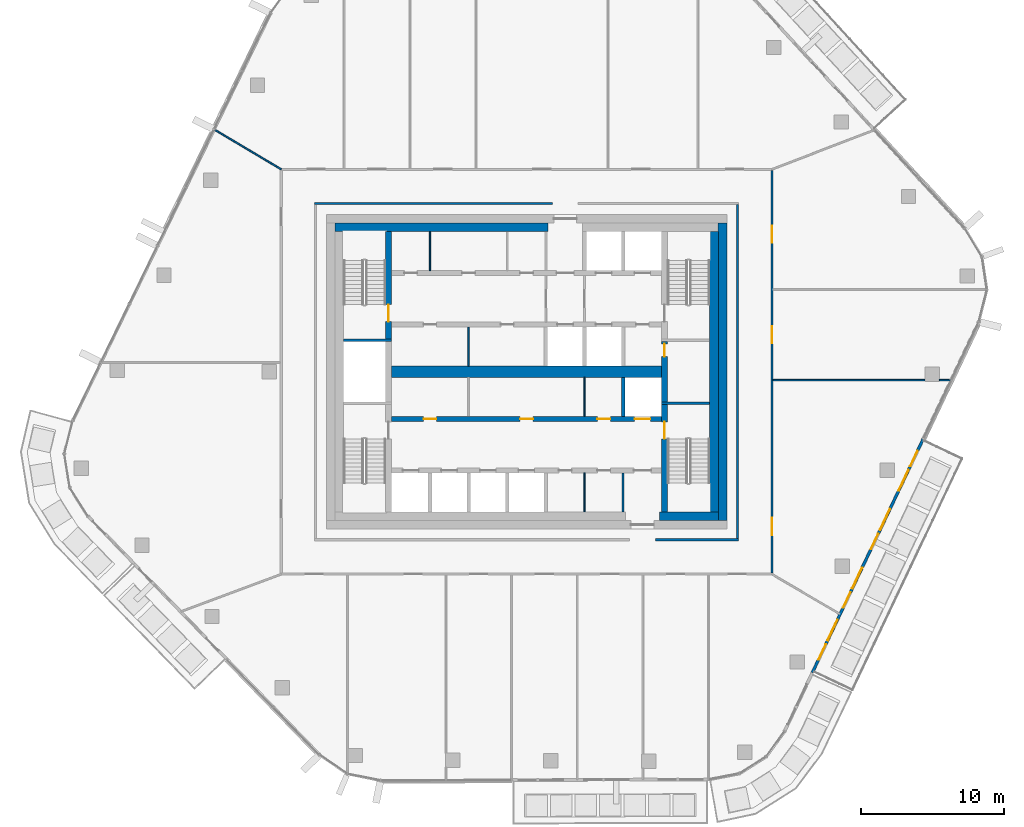
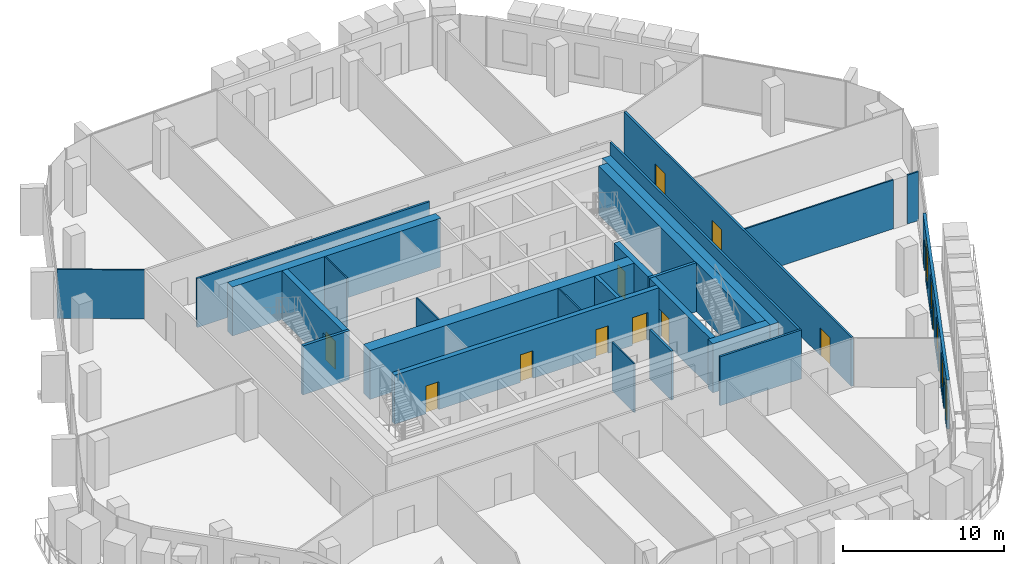
# One storey, part 14 of 24: 25 walls, 14 doors, 4 windows, 18 openings.
"""IFC4 building model written with IfcOpenShell, lengths in metres."""

from ifc_helpers import new_model, si_unit, direction, frame, frame_2d, origin, place, context, subcontext, project, spatial, rectangle, extrude, material, layer, layer_set, type_object, element, fill, save


model = new_model("IFC4")

# Units and contexts
model_context = context("Model", 3, precision=1e-05, world=origin(), true_north=direction((0.0, 1.0)))
body_context = subcontext(model_context, "Body", "Model", "MODEL_VIEW")
ifc_project = project(units=[si_unit("LENGTHUNIT", "METRE"), si_unit("AREAUNIT", "SQUARE_METRE"), si_unit("VOLUMEUNIT", "CUBIC_METRE"), si_unit("PLANEANGLEUNIT", "RADIAN"), si_unit("MASSUNIT", "GRAM", prefix="KILO")], contexts=[model_context])

# Site, building, storey
site_placement = place(None, origin())
site = spatial("IfcSite", under=ifc_project, at=site_placement, CompositionType="ELEMENT")
building_placement = place(site_placement, origin())
building = spatial("IfcBuilding", under=site, at=building_placement, Name="Dongbaek Canopy Tower", CompositionType="ELEMENT")
storey_placement = place(building_placement, frame((0.0, 0.0, 348.800048828125)))
storey = spatial("IfcBuildingStorey", under=building, at=storey_placement, Name="L75", CompositionType="ELEMENT", Elevation=348.800048828125)

# Wall
ifc_material_1 = material(Name="Concrete C60/75", Category="concrete")
ifc_layer_1 = layer(ifc_material_1, 0.800048828125)
ifc_layer_set_1 = layer_set([ifc_layer_1], Name="Core central wall 800 Concrete C60/75")
wall_type_1 = type_object("IfcWallType", Name="Core central wall 800 Concrete C60/75", PredefinedType="SHEAR", material=ifc_layer_set_1)
wall_1_placement = place(storey_placement, frame((-9.449951171875, 0.0, 0.0), z_axis=(0.0, 0.0, 1.0), x_axis=(1.0, 0.0, 0.0)))
element("IfcWall", 1, at=wall_1_placement, inside=storey, type_object=wall_type_1, Name="Core wall", PredefinedType="SHEAR", context=body_context, shape_type="SweptSolid", body=[
    extrude(rectangle(XDim=18.89990234375, YDim=0.800048828125, at=frame_2d((9.449951171875, 0.0))), origin(), (0.0, 0.0, 1.0), 3.699951171875),
])

# Wall, openings, doors
ifc_material_2 = material(Name="Concrete C60/75", Category="concrete")
ifc_layer_2 = layer(ifc_material_2, 0.35009765625)
ifc_layer_set_2 = layer_set([ifc_layer_2], Name="Core lobby wall 350 Concrete C60/75")
wall_type_2 = type_object("IfcWallType", Name="Core lobby wall 350 Concrete C60/75", PredefinedType="SHEAR", material=ifc_layer_set_2)
wall_2_placement = place(storey_placement, frame((-9.449951171875, -3.300048828125, 0.0), z_axis=(0.0, 0.0, 1.0), x_axis=(1.0, 0.0, 0.0)))
wall_2 = element("IfcWall", 2, at=wall_2_placement, inside=storey, type_object=wall_type_2, Name="Core wall", PredefinedType="SHEAR", context=body_context, shape_type="SweptSolid", body=[
    extrude(rectangle(XDim=18.89990234375, YDim=0.35009765625, at=frame_2d((9.449951171875, 0.0))), origin(), (0.0, 0.0, 1.0), 3.699951171875),
])
opening_1_placement = place(wall_2_placement, frame((17.0, 0.0, 0.0)))
opening_1 = element("IfcOpeningElement", 3, at=opening_1_placement, cuts=wall_2, Name="Opening L75-D027", PredefinedType="OPENING", context=body_context, shape_type="SweptSolid", body=[
    extrude(rectangle(XDim=1.10009765625, YDim=2.10009765625, at=frame_2d((0.550048828125, 1.050048828125))), frame((0.0, 0.18505859375, 0.0), z_axis=(0.0, -1.0, 0.0), x_axis=(1.0, 0.0, 0.0)), (0.0, 0.0, 1.0), 0.3701171875),
])
opening_2_placement = place(wall_2_placement, frame((2.25, 0.0, 0.0)))
opening_2 = element("IfcOpeningElement", 4, at=opening_2_placement, cuts=wall_2, Name="Opening L75-D039", PredefinedType="OPENING", context=body_context, shape_type="SweptSolid", body=[
    extrude(rectangle(XDim=0.89990234375, YDim=2.10009765625, at=frame_2d((0.449951171875, 1.050048828125))), frame((0.0, 0.18505859375, 0.0), z_axis=(0.0, -1.0, 0.0), x_axis=(1.0, 0.0, 0.0)), (0.0, 0.0, 1.0), 0.3701171875),
])
opening_3_placement = place(wall_2_placement, frame((9.0, 0.0, 0.0)))
opening_3 = element("IfcOpeningElement", 5, at=opening_3_placement, cuts=wall_2, Name="Opening L75-D040", PredefinedType="OPENING", context=body_context, shape_type="SweptSolid", body=[
    extrude(rectangle(XDim=0.89990234375, YDim=2.10009765625, at=frame_2d((0.449951171875, 1.050048828125))), frame((0.0, 0.18505859375, 0.0), z_axis=(0.0, -1.0, 0.0), x_axis=(1.0, 0.0, 0.0)), (0.0, 0.0, 1.0), 0.3701171875),
])
opening_4_placement = place(wall_2_placement, frame((14.39990234375, 0.0, 0.0)))
opening_4 = element("IfcOpeningElement", 6, at=opening_4_placement, cuts=wall_2, Name="Opening L75-D041", PredefinedType="OPENING", context=body_context, shape_type="SweptSolid", body=[
    extrude(rectangle(XDim=0.89990234375, YDim=2.10009765625, at=frame_2d((0.449951171875, 1.050048828125))), frame((0.0, 0.18505859375, 0.0), z_axis=(0.0, -1.0, 0.0), x_axis=(1.0, 0.0, 0.0)), (0.0, 0.0, 1.0), 0.3701171875),
])
ifc_material_3 = material(Name="Steel", Category="steel")
door_type_1 = type_object("IfcDoorType", Name="Core room door 900 x 2100", OperationType="SINGLE_SWING_LEFT", PredefinedType="DOOR", material=ifc_material_3)
door_1_placement = place(opening_2_placement, origin())
door_1 = element("IfcDoor", 7, at=door_1_placement, inside=storey, type_object=door_type_1, Name="Door L75-D039", OperationType="SINGLE_SWING_LEFT", OverallHeight=2.10009765625, OverallWidth=0.89990234375, PredefinedType="DOOR", context=body_context, shape_type="SweptSolid", body=[
    extrude(rectangle(XDim=0.89990234375, YDim=2.10009765625, at=frame_2d((0.449951171875, 1.050048828125))), frame((0.0, 0.02490234375, 0.0), z_axis=(0.0, -1.0, 0.0), x_axis=(1.0, 0.0, 0.0)), (0.0, 0.0, 1.0), 0.050048828125),
])
fill(opening_2, door_1)
door_2_placement = place(opening_3_placement, origin())
door_2 = element("IfcDoor", 8, at=door_2_placement, inside=storey, type_object=door_type_1, Name="Door L75-D040", OperationType="SINGLE_SWING_RIGHT", OverallHeight=2.10009765625, OverallWidth=0.89990234375, PredefinedType="DOOR", context=body_context, shape_type="SweptSolid", body=[
    extrude(rectangle(XDim=0.89990234375, YDim=2.10009765625, at=frame_2d((0.449951171875, 1.050048828125))), frame((0.0, 0.02490234375, 0.0), z_axis=(0.0, -1.0, 0.0), x_axis=(1.0, 0.0, 0.0)), (0.0, 0.0, 1.0), 0.050048828125),
])
fill(opening_3, door_2)
door_3_placement = place(opening_4_placement, origin())
door_3 = element("IfcDoor", 9, at=door_3_placement, inside=storey, type_object=door_type_1, Name="Door L75-D041", OperationType="SINGLE_SWING_LEFT", OverallHeight=2.10009765625, OverallWidth=0.89990234375, PredefinedType="DOOR", context=body_context, shape_type="SweptSolid", body=[
    extrude(rectangle(XDim=0.89990234375, YDim=2.10009765625, at=frame_2d((0.449951171875, 1.050048828125))), frame((0.0, 0.02490234375, 0.0), z_axis=(0.0, -1.0, 0.0), x_axis=(1.0, 0.0, 0.0)), (0.0, 0.0, 1.0), 0.050048828125),
])
fill(opening_4, door_3)
ifc_material_4 = material(Name="Stainless steel", Category="steel")
door_type_2 = type_object("IfcDoorType", Name="Lift landing door 1100 x 2100", OperationType="DOUBLE_DOOR_SLIDING", PredefinedType="DOOR", material=ifc_material_4)
door_4_placement = place(opening_1_placement, origin())
door_4 = element("IfcDoor", 10, at=door_4_placement, inside=storey, type_object=door_type_2, Name="Landing door SV2", OperationType="DOUBLE_DOOR_SLIDING", OverallHeight=2.10009765625, OverallWidth=1.10009765625, PredefinedType="DOOR", context=body_context, shape_type="SweptSolid", body=[
    extrude(rectangle(XDim=1.10009765625, YDim=2.10009765625, at=frame_2d((0.550048828125, 1.050048828125))), frame((0.0, 0.02490234375, 0.0), z_axis=(0.0, -1.0, 0.0), x_axis=(1.0, 0.0, 0.0)), (0.0, 0.0, 1.0), 0.050048828125),
])
fill(opening_1, door_4)

# Walls
ifc_material_5 = material(Name="Concrete C80/95", Category="concrete")
ifc_layer_3 = layer(ifc_material_5, 0.60009765625)
ifc_layer_set_3 = layer_set([ifc_layer_3], Name="Core outer wall 600 Concrete C80/95")
wall_type_3 = type_object("IfcWallType", Name="Core outer wall 600 Concrete C80/95", PredefinedType="SHEAR", material=ifc_layer_set_3)
wall_3_placement = place(storey_placement, frame((13.699951171875, 10.39990234375, 0.0), z_axis=(0.0, 0.0, 1.0), x_axis=(0.0, -1.0, 0.0)))
element("IfcWall", 11, at=wall_3_placement, inside=storey, type_object=wall_type_3, Name="Core wall", PredefinedType="SHEAR", context=body_context, shape_type="SweptSolid", body=[
    extrude(rectangle(XDim=20.7998046875, YDim=0.60009765625, at=frame_2d((10.39990234375, 0.0))), origin(), (0.0, 0.0, 1.0), 3.699951171875),
])
ifc_material_6 = material(Name="Concrete C60/75", Category="concrete")
ifc_layer_4 = layer(ifc_material_6, 0.60009765625)
ifc_layer_set_4 = layer_set([ifc_layer_4], Name="Core wall lining 600 Concrete C60/75")
wall_type_4 = type_object("IfcWallType", Name="Core wall lining 600 Concrete C60/75", PredefinedType="SHEAR", material=ifc_layer_set_4)
wall_4_placement = place(storey_placement, frame((-13.39990234375, 10.10009765625, 0.0), z_axis=(0.0, 0.0, 1.0), x_axis=(1.0, 0.0, 0.0)))
element("IfcWall", 12, at=wall_4_placement, inside=storey, type_object=wall_type_4, Name="Core wall lining", PredefinedType="SHEAR", context=body_context, shape_type="SweptSolid", body=[
    extrude(rectangle(XDim=14.89990234375, YDim=0.60009765625, at=frame_2d((7.449951171875, 0.0))), origin(), (0.0, 0.0, 1.0), 3.699951171875),
])
wall_5_placement = place(storey_placement, frame((13.39990234375, -10.10009765625, 0.0), z_axis=(0.0, 0.0, 1.0), x_axis=(-1.0, 0.0, 0.0)))
element("IfcWall", 13, at=wall_5_placement, inside=storey, type_object=wall_type_4, Name="Core wall lining", PredefinedType="SHEAR", context=body_context, shape_type="SweptSolid", body=[
    extrude(rectangle(XDim=4.099853515625, YDim=0.60009765625, at=frame_2d((2.0498046875, 0.0))), origin(), (0.0, 0.0, 1.0), 3.699951171875),
])
wall_6_placement = place(storey_placement, frame((13.10009765625, 9.800048828125, 0.0), z_axis=(0.0, 0.0, 1.0), x_axis=(0.0, -1.0, 0.0)))
element("IfcWall", 14, at=wall_6_placement, inside=storey, type_object=wall_type_4, Name="Core wall lining", PredefinedType="SHEAR", context=body_context, shape_type="SweptSolid", body=[
    extrude(rectangle(XDim=19.60009765625, YDim=0.60009765625, at=frame_2d((9.800048828125, 0.0))), origin(), (0.0, 0.0, 1.0), 3.699951171875),
])
ifc_material_7 = material(Name="Gypsum board partition, steel stud, 2 x 15 mm fire board", Category="steel")
ifc_layer_5 = layer(ifc_material_7, 0.14990234375)
ifc_layer_set_5 = layer_set([ifc_layer_5], Name="Fire-rated partition 150 gypsum board")
wall_type_5 = type_object("IfcWallType", Name="Fire-rated partition 150 gypsum board", PredefinedType="PARTITIONING", material=ifc_layer_set_5)
wall_7_placement = place(storey_placement, frame((9.0, -11.75, 0.0), z_axis=(0.0, 0.0, 1.0), x_axis=(1.0, 0.0, 0.0)))
element("IfcWall", 15, at=wall_7_placement, inside=storey, type_object=wall_type_5, Name="Corridor partition", PredefinedType="PARTITIONING", context=body_context, shape_type="SweptSolid", body=[
    extrude(rectangle(XDim=5.824951171875, YDim=0.14990234375, at=frame_2d((2.91259765625, 0.0))), origin(), (0.0, 0.0, 1.0), 3.699951171875),
])
wall_8_placement = place(storey_placement, frame((-14.824951171875, 11.75, 0.0), z_axis=(0.0, 0.0, 1.0), x_axis=(1.0, 0.0, 0.0)))
element("IfcWall", 16, at=wall_8_placement, inside=storey, type_object=wall_type_5, Name="Corridor partition", PredefinedType="PARTITIONING", context=body_context, shape_type="SweptSolid", body=[
    extrude(rectangle(XDim=16.625, YDim=0.14990234375, at=frame_2d((8.3125, 0.0))), origin(), (0.0, 0.0, 1.0), 3.699951171875),
])

# Wall, openings, doors
wall_9_placement = place(storey_placement, frame((17.14990234375, 14.074951171875, 0.0), z_axis=(0.0, 0.0, 1.0), x_axis=(0.0, -1.0, 0.0)))
wall_9 = element("IfcWall", 17, at=wall_9_placement, inside=storey, type_object=wall_type_5, Name="Corridor partition", PredefinedType="PARTITIONING", context=body_context, shape_type="SweptSolid", body=[
    extrude(rectangle(XDim=28.14990234375, YDim=0.14990234375, at=frame_2d((14.074951171875, 0.0))), origin(), (0.0, 0.0, 1.0), 3.699951171875),
])
opening_5_placement = place(wall_9_placement, frame((24.291748046875, 0.0, 0.0)))
opening_5 = element("IfcOpeningElement", 18, at=opening_5_placement, cuts=wall_9, Name="Opening L75-D009", PredefinedType="OPENING", context=body_context, shape_type="SweptSolid", body=[
    extrude(rectangle(XDim=1.199951171875, YDim=2.10009765625, at=frame_2d((0.60009765625, 1.050048828125))), frame((0.0, 0.0849609375, 0.0), z_axis=(0.0, -1.0, 0.0), x_axis=(1.0, 0.0, 0.0)), (0.0, 0.0, 1.0), 0.169921875),
])
opening_6_placement = place(wall_9_placement, frame((10.89794921875, 0.0, 0.0)))
opening_6 = element("IfcOpeningElement", 19, at=opening_6_placement, cuts=wall_9, Name="Opening L75-D010", PredefinedType="OPENING", context=body_context, shape_type="SweptSolid", body=[
    extrude(rectangle(XDim=1.199951171875, YDim=2.10009765625, at=frame_2d((0.60009765625, 1.050048828125))), frame((0.0, 0.0849609375, 0.0), z_axis=(0.0, -1.0, 0.0), x_axis=(1.0, 0.0, 0.0)), (0.0, 0.0, 1.0), 0.169921875),
])
opening_7_placement = place(wall_9_placement, frame((3.873291015625, 0.0, 0.0)))
opening_7 = element("IfcOpeningElement", 20, at=opening_7_placement, cuts=wall_9, Name="Opening L75-D011", PredefinedType="OPENING", context=body_context, shape_type="SweptSolid", body=[
    extrude(rectangle(XDim=1.199951171875, YDim=2.10009765625, at=frame_2d((0.60009765625, 1.050048828125))), frame((0.0, 0.0849609375, 0.0), z_axis=(0.0, -1.0, 0.0), x_axis=(1.0, 0.0, 0.0)), (0.0, 0.0, 1.0), 0.169921875),
])
ifc_material_8 = material(Name="Timber veneered door leaf", Category="wood")
door_type_3 = type_object("IfcDoorType", Name="Room door 1200 x 2100", OperationType="SINGLE_SWING_LEFT", PredefinedType="DOOR", material=ifc_material_8)
door_5_placement = place(opening_5_placement, origin())
door_5 = element("IfcDoor", 21, at=door_5_placement, inside=storey, type_object=door_type_3, Name="Door L75-D009", OperationType="SINGLE_SWING_RIGHT", OverallHeight=2.10009765625, OverallWidth=1.199951171875, PredefinedType="DOOR", context=body_context, shape_type="SweptSolid", body=[
    extrude(rectangle(XDim=1.199951171875, YDim=2.10009765625, at=frame_2d((0.60009765625, 1.050048828125))), frame((0.0, 0.02490234375, 0.0), z_axis=(0.0, -1.0, 0.0), x_axis=(1.0, 0.0, 0.0)), (0.0, 0.0, 1.0), 0.050048828125),
])
fill(opening_5, door_5)
door_6_placement = place(opening_6_placement, origin())
door_6 = element("IfcDoor", 22, at=door_6_placement, inside=storey, type_object=door_type_3, Name="Door L75-D010", OperationType="SINGLE_SWING_LEFT", OverallHeight=2.10009765625, OverallWidth=1.199951171875, PredefinedType="DOOR", context=body_context, shape_type="SweptSolid", body=[
    extrude(rectangle(XDim=1.199951171875, YDim=2.10009765625, at=frame_2d((0.60009765625, 1.050048828125))), frame((0.0, 0.02490234375, 0.0), z_axis=(0.0, -1.0, 0.0), x_axis=(1.0, 0.0, 0.0)), (0.0, 0.0, 1.0), 0.050048828125),
])
fill(opening_6, door_6)
door_7_placement = place(opening_7_placement, origin())
door_7 = element("IfcDoor", 23, at=door_7_placement, inside=storey, type_object=door_type_3, Name="Door L75-D011", OperationType="SINGLE_SWING_RIGHT", OverallHeight=2.10009765625, OverallWidth=1.199951171875, PredefinedType="DOOR", context=body_context, shape_type="SweptSolid", body=[
    extrude(rectangle(XDim=1.199951171875, YDim=2.10009765625, at=frame_2d((0.60009765625, 1.050048828125))), frame((0.0, 0.02490234375, 0.0), z_axis=(0.0, -1.0, 0.0), x_axis=(1.0, 0.0, 0.0)), (0.0, 0.0, 1.0), 0.050048828125),
])
fill(opening_7, door_7)

# Walls
wall_10_placement = place(storey_placement, frame((14.75, -11.675048828125, 0.0), z_axis=(0.0, 0.0, 1.0), x_axis=(0.0, 1.0, 0.0)))
element("IfcWall", 24, at=wall_10_placement, inside=storey, type_object=wall_type_5, Name="Corridor partition", PredefinedType="PARTITIONING", context=body_context, shape_type="SweptSolid", body=[
    extrude(rectangle(XDim=23.35009765625, YDim=0.14990234375, at=frame_2d((11.675048828125, 0.0))), origin(), (0.0, 0.0, 1.0), 3.699951171875),
])
wall_11_placement = place(storey_placement, frame((6.75, -9.800048828125, 0.0), z_axis=(0.0, 0.0, 1.0), x_axis=(0.0, 1.0, 0.0)))
element("IfcWall", 25, at=wall_11_placement, inside=storey, type_object=wall_type_5, Name="Fire lobby partition", PredefinedType="PARTITIONING", context=body_context, shape_type="SweptSolid", body=[
    extrude(rectangle(XDim=2.72509765625, YDim=0.14990234375, at=frame_2d((1.362548828125, 0.0))), origin(), (0.0, 0.0, 1.0), 3.699951171875),
])
ifc_material_9 = material(Name="Concrete C40/50", Category="concrete")
ifc_layer_6 = layer(ifc_material_9, 0.25)
ifc_layer_set_6 = layer_set([ifc_layer_6], Name="Lift shaft wall 250 Concrete C40/50")
wall_type_6 = type_object("IfcWallType", Name="Lift shaft wall 250 Concrete C40/50", PredefinedType="SOLIDWALL", material=ifc_layer_set_6)
wall_12_placement = place(storey_placement, frame((6.75, -3.125, 0.0), z_axis=(0.0, 0.0, 1.0), x_axis=(0.0, 1.0, 0.0)))
element("IfcWall", 26, at=wall_12_placement, inside=storey, type_object=wall_type_6, Name="Lift shaft wall", PredefinedType="SOLIDWALL", context=body_context, shape_type="SweptSolid", body=[
    extrude(rectangle(XDim=2.72509765625, YDim=0.25, at=frame_2d((1.362548828125, 0.0))), origin(), (0.0, 0.0, 1.0), 3.699951171875),
])
ifc_material_10 = material(Name="Gypsum board partition, steel stud, 2 x 12.5 mm board", Category="steel")
ifc_layer_7 = layer(ifc_material_10, 0.10009765625)
ifc_layer_set_7 = layer_set([ifc_layer_7], Name="Partition 100 gypsum board")
wall_type_7 = type_object("IfcWallType", Name="Partition 100 gypsum board", PredefinedType="PARTITIONING", material=ifc_layer_set_7)
wall_13_placement = place(storey_placement, frame((17.22509765625, -0.592041015625, 0.0), z_axis=(0.0, 0.0, 1.0), x_axis=(1.0, 0.0, 0.0)))
element("IfcWall", 27, at=wall_13_placement, inside=storey, type_object=wall_type_7, Name="Partition", PredefinedType="PARTITIONING", context=body_context, shape_type="SweptSolid", body=[
    extrude(rectangle(XDim=10.6259765625, YDim=0.10009765625, at=frame_2d((5.31298828125, 0.0))), origin(), (0.0, 0.0, 1.0), 3.699951171875),
])
wall_14_placement = place(storey_placement, frame((28.85107421875, -0.592041015625, 0.0), z_axis=(0.0, 0.0, 1.0), x_axis=(1.0, 0.0, 0.0)))
element("IfcWall", 28, at=wall_14_placement, inside=storey, type_object=wall_type_7, Name="Partition", PredefinedType="PARTITIONING", context=body_context, shape_type="SweptSolid", body=[
    extrude(rectangle(XDim=0.803466796875, YDim=0.10009765625, at=frame_2d((0.40185546875, 0.0))), origin(), (0.0, 0.0, 1.0), 3.699951171875),
])
wall_15_placement = place(storey_placement, frame((-21.827880859375, 16.93505859375, 0.0), z_axis=(0.0, 0.0, 1.0), x_axis=(0.859229054867, -0.51159107818, 0.0)))
element("IfcWall", 29, at=wall_15_placement, inside=storey, type_object=wall_type_7, Name="Partition", PredefinedType="PARTITIONING", context=body_context, shape_type="SweptSolid", body=[
    extrude(rectangle(XDim=5.444091796875, YDim=0.10009765625, at=frame_2d((2.72216796875, 0.0))), origin(), (0.0, 0.0, 1.0), 3.699951171875),
])
for number, where, z_axis, x_axis, name in (
    (30, (4.050048828125, -9.800048828125, 0.0), (0.0, 0.0, 1.0), (0.0, 1.0, 0.0), "Core partition"),
    (31, (4.050048828125, -3.125, 0.0), (0.0, 0.0, 1.0), (0.0, 1.0, 0.0), "Core partition"),
    (32, (-4.050048828125, 0.39990234375, 0.0), (0.0, 0.0, 1.0), (0.0, 1.0, 0.0), "Core partition"),
    (33, (-6.75, 7.074951171875, 0.0), (0.0, 0.0, 1.0), (0.0, 1.0, 0.0), "Core partition"),
):
    element("IfcWall", number, at=place(storey_placement, frame(where, z_axis=z_axis, x_axis=x_axis)), inside=storey, type_object=wall_type_7, Name=name, PredefinedType="PARTITIONING", context=body_context, shape_type="SweptSolid", body=[
        extrude(rectangle(XDim=2.72509765625, YDim=0.10009765625, at=frame_2d((1.362548828125, 0.0))), origin(), (0.0, 0.0, 1.0), 3.699951171875),
    ])
ifc_material_11 = material(Name="Concrete C60/75", Category="concrete")
ifc_layer_8 = layer(ifc_material_11, 0.199951171875)
ifc_layer_set_8 = layer_set([ifc_layer_8], Name="Riser wall 200 Concrete C60/75")
wall_type_8 = type_object("IfcWallType", Name="Riser wall 200 Concrete C60/75", PredefinedType="SHEAR", material=ifc_layer_set_8)
for number, where, z_axis, x_axis, name in (
    (34, (-9.449951171875, 2.199951171875, 0.0), (0.0, 0.0, 1.0), (-1.0, 0.0, 0.0), "Riser wall"),
    (35, (9.449951171875, -2.199951171875, 0.0), (0.0, 0.0, 1.0), (1.0, 0.0, 0.0), "Riser wall"),
):
    element("IfcWall", number, at=place(storey_placement, frame(where, z_axis=z_axis, x_axis=x_axis)), inside=storey, type_object=wall_type_8, Name=name, PredefinedType="SHEAR", context=body_context, shape_type="SweptSolid", body=[
        extrude(rectangle(XDim=3.35009765625, YDim=0.199951171875, at=frame_2d((1.675048828125, 0.0))), origin(), (0.0, 0.0, 1.0), 3.699951171875),
    ])

# Wall, opening, door
ifc_material_12 = material(Name="Concrete C60/75", Category="concrete")
ifc_layer_9 = layer(ifc_material_12, 0.39990234375)
ifc_layer_set_9 = layer_set([ifc_layer_9], Name="Stair wall 400 Concrete C60/75")
wall_type_9 = type_object("IfcWallType", Name="Stair wall 400 Concrete C60/75", PredefinedType="SHEAR", material=ifc_layer_set_9)
wall_16_placement = place(storey_placement, frame((9.64990234375, -2.300048828125, 0.0), z_axis=(0.0, 0.0, 1.0), x_axis=(0.0, -1.0, 0.0)))
wall_16 = element("IfcWall", 36, at=wall_16_placement, inside=storey, type_object=wall_type_9, Name="Stair wall", PredefinedType="SHEAR", context=body_context, shape_type="SweptSolid", body=[
    extrude(rectangle(XDim=7.5, YDim=0.39990234375, at=frame_2d((3.75, 0.0))), origin(), (0.0, 0.0, 1.0), 3.699951171875),
])
opening_8_placement = place(wall_16_placement, frame((1.199951171875, 0.0, 0.0)))
opening_8 = element("IfcOpeningElement", 37, at=opening_8_placement, cuts=wall_16, Name="Opening L75-D046", PredefinedType="OPENING", context=body_context, shape_type="SweptSolid", body=[
    extrude(rectangle(XDim=1.199951171875, YDim=2.10009765625, at=frame_2d((0.60009765625, 1.050048828125))), frame((0.0, 0.2099609375, 0.0), z_axis=(0.0, -1.0, 0.0), x_axis=(1.0, 0.0, 0.0)), (0.0, 0.0, 1.0), 0.419921875),
])
ifc_material_13 = material(Name="Steel", Category="steel")
door_type_4 = type_object("IfcDoorType", Name="Stair door 1200 x 2100", OperationType="SINGLE_SWING_LEFT", PredefinedType="DOOR", material=ifc_material_13)
door_8_placement = place(opening_8_placement, origin())
door_8 = element("IfcDoor", 38, at=door_8_placement, inside=storey, type_object=door_type_4, Name="Stair B door", OperationType="SINGLE_SWING_RIGHT", OverallHeight=2.10009765625, OverallWidth=1.199951171875, PredefinedType="DOOR", context=body_context, shape_type="SweptSolid", body=[
    extrude(rectangle(XDim=1.199951171875, YDim=2.10009765625, at=frame_2d((0.60009765625, 1.050048828125))), frame((0.0, 0.02490234375, 0.0), z_axis=(0.0, -1.0, 0.0), x_axis=(1.0, 0.0, 0.0)), (0.0, 0.0, 1.0), 0.050048828125),
])
fill(opening_8, door_8)

wall_17_placement = place(storey_placement, frame((9.64990234375, 2.10009765625, 0.0), z_axis=(0.0, 0.0, 1.0), x_axis=(0.0, -1.0, 0.0)))
wall_17 = element("IfcWall", 39, at=wall_17_placement, inside=storey, type_object=wall_type_9, Name="Stair wall", PredefinedType="SHEAR", context=body_context, shape_type="SweptSolid", body=[
    extrude(rectangle(XDim=4.2001953125, YDim=0.39990234375, at=frame_2d((2.10009765625, 0.0))), origin(), (0.0, 0.0, 1.0), 3.699951171875),
])
opening_9_placement = place(wall_17_placement, frame((0.14990234375, 0.0, 0.0)))
opening_9 = element("IfcOpeningElement", 40, at=opening_9_placement, cuts=wall_17, Name="Opening L75-D019", PredefinedType="OPENING", context=body_context, shape_type="SweptSolid", body=[
    extrude(rectangle(XDim=0.89990234375, YDim=2.10009765625, at=frame_2d((0.449951171875, 1.050048828125))), frame((0.0, 0.2099609375, 0.0), z_axis=(0.0, -1.0, 0.0), x_axis=(1.0, 0.0, 0.0)), (0.0, 0.0, 1.0), 0.419921875),
])
door_9_placement = place(opening_9_placement, origin())
door_9 = element("IfcDoor", 41, at=door_9_placement, inside=storey, type_object=door_type_1, Name="Door L75-D019", OperationType="SINGLE_SWING_RIGHT", OverallHeight=2.10009765625, OverallWidth=0.89990234375, PredefinedType="DOOR", context=body_context, shape_type="SweptSolid", body=[
    extrude(rectangle(XDim=0.89990234375, YDim=2.10009765625, at=frame_2d((0.449951171875, 1.050048828125))), frame((0.0, 0.02490234375, 0.0), z_axis=(0.0, -1.0, 0.0), x_axis=(1.0, 0.0, 0.0)), (0.0, 0.0, 1.0), 0.050048828125),
])
fill(opening_9, door_9)

wall_18_placement = place(storey_placement, frame((-9.64990234375, 2.300048828125, 0.0), z_axis=(0.0, 0.0, 1.0), x_axis=(0.0, 1.0, 0.0)))
wall_18 = element("IfcWall", 42, at=wall_18_placement, inside=storey, type_object=wall_type_9, Name="Stair wall", PredefinedType="SHEAR", context=body_context, shape_type="SweptSolid", body=[
    extrude(rectangle(XDim=7.5, YDim=0.39990234375, at=frame_2d((3.75, 0.0))), origin(), (0.0, 0.0, 1.0), 3.699951171875),
])
opening_10_placement = place(wall_18_placement, frame((1.199951171875, 0.0, 0.0)))
opening_10 = element("IfcOpeningElement", 43, at=opening_10_placement, cuts=wall_18, Name="Opening L75-D045", PredefinedType="OPENING", context=body_context, shape_type="SweptSolid", body=[
    extrude(rectangle(XDim=1.199951171875, YDim=2.10009765625, at=frame_2d((0.60009765625, 1.050048828125))), frame((0.0, 0.2099609375, 0.0), z_axis=(0.0, -1.0, 0.0), x_axis=(1.0, 0.0, 0.0)), (0.0, 0.0, 1.0), 0.419921875),
])
door_10_placement = place(opening_10_placement, origin())
door_10 = element("IfcDoor", 44, at=door_10_placement, inside=storey, type_object=door_type_4, Name="Stair C door", OperationType="SINGLE_SWING_RIGHT", OverallHeight=2.10009765625, OverallWidth=1.199951171875, PredefinedType="DOOR", context=body_context, shape_type="SweptSolid", body=[
    extrude(rectangle(XDim=1.199951171875, YDim=2.10009765625, at=frame_2d((0.60009765625, 1.050048828125))), frame((0.0, 0.02490234375, 0.0), z_axis=(0.0, -1.0, 0.0), x_axis=(1.0, 0.0, 0.0)), (0.0, 0.0, 1.0), 0.050048828125),
])
fill(opening_10, door_10)

# Wall, openings, doors, windows
ifc_material_14 = material(Name="Aluminium window wall", Category="aluminium")
ifc_layer_10 = layer(ifc_material_14, 0.199951171875)
ifc_layer_set_10 = layer_set([ifc_layer_10], Name="Window wall 200")
wall_type_10 = type_object("IfcWallType", Name="Window wall 200", PredefinedType="SOLIDWALL", material=ifc_layer_set_10)
wall_19_placement = place(storey_placement, frame((19.9775390625, -21.041748046875, 0.0), z_axis=(0.0, 0.0, 1.0), x_axis=(0.428526209531, 0.903529350793, 0.0)))
wall_19 = element("IfcWall", 45, at=wall_19_placement, inside=storey, type_object=wall_type_10, Name="Window wall L75 5", PredefinedType="SOLIDWALL", context=body_context, shape_type="SweptSolid", body=[
    extrude(rectangle(XDim=18.10693359375, YDim=0.199951171875, at=frame_2d((9.053466796875, 0.0))), origin(), (0.0, 0.0, 1.0), 3.699951171875),
])
opening_11_placement = place(wall_19_placement, frame((2.5, 0.0, 0.60009765625)))
opening_11 = element("IfcOpeningElement", 46, at=opening_11_placement, cuts=wall_19, Name="Opening W1", PredefinedType="OPENING", context=body_context, shape_type="SweptSolid", body=[
    extrude(rectangle(XDim=1.60009765625, YDim=2.39990234375, at=frame_2d((0.800048828125, 1.199951171875))), frame((0.0, 0.10986328125, 0.0), z_axis=(0.0, -1.0, 0.0), x_axis=(1.0, 0.0, 0.0)), (0.0, 0.0, 1.0), 0.219970703125),
])
opening_12_placement = place(wall_19_placement, frame((1.0, 0.0, 0.0)))
opening_12 = element("IfcOpeningElement", 47, at=opening_12_placement, cuts=wall_19, Name="Opening L75-B13", PredefinedType="OPENING", context=body_context, shape_type="SweptSolid", body=[
    extrude(rectangle(XDim=1.199951171875, YDim=2.39990234375, at=frame_2d((0.60009765625, 1.199951171875))), frame((0.0, 0.10986328125, 0.0), z_axis=(0.0, -1.0, 0.0), x_axis=(1.0, 0.0, 0.0)), (0.0, 0.0, 1.0), 0.219970703125),
])
opening_13_placement = place(wall_19_placement, frame((6.526611328125, 0.0, 0.60009765625)))
opening_13 = element("IfcOpeningElement", 48, at=opening_13_placement, cuts=wall_19, Name="Opening W1", PredefinedType="OPENING", context=body_context, shape_type="SweptSolid", body=[
    extrude(rectangle(XDim=1.60009765625, YDim=2.39990234375, at=frame_2d((0.800048828125, 1.199951171875))), frame((0.0, 0.10986328125, 0.0), z_axis=(0.0, -1.0, 0.0), x_axis=(1.0, 0.0, 0.0)), (0.0, 0.0, 1.0), 0.219970703125),
])
opening_14_placement = place(wall_19_placement, frame((5.026611328125, 0.0, 0.0)))
opening_14 = element("IfcOpeningElement", 49, at=opening_14_placement, cuts=wall_19, Name="Opening L75-B14", PredefinedType="OPENING", context=body_context, shape_type="SweptSolid", body=[
    extrude(rectangle(XDim=1.199951171875, YDim=2.39990234375, at=frame_2d((0.60009765625, 1.199951171875))), frame((0.0, 0.10986328125, 0.0), z_axis=(0.0, -1.0, 0.0), x_axis=(1.0, 0.0, 0.0)), (0.0, 0.0, 1.0), 0.219970703125),
])
opening_15_placement = place(wall_19_placement, frame((11.053466796875, 0.0, 0.60009765625)))
opening_15 = element("IfcOpeningElement", 50, at=opening_15_placement, cuts=wall_19, Name="Opening W1", PredefinedType="OPENING", context=body_context, shape_type="SweptSolid", body=[
    extrude(rectangle(XDim=1.60009765625, YDim=2.39990234375, at=frame_2d((0.800048828125, 1.199951171875))), frame((0.0, 0.10986328125, 0.0), z_axis=(0.0, -1.0, 0.0), x_axis=(1.0, 0.0, 0.0)), (0.0, 0.0, 1.0), 0.219970703125),
])
opening_16_placement = place(wall_19_placement, frame((9.553466796875, 0.0, 0.0)))
opening_16 = element("IfcOpeningElement", 51, at=opening_16_placement, cuts=wall_19, Name="Opening L75-B15", PredefinedType="OPENING", context=body_context, shape_type="SweptSolid", body=[
    extrude(rectangle(XDim=1.199951171875, YDim=2.39990234375, at=frame_2d((0.60009765625, 1.199951171875))), frame((0.0, 0.10986328125, 0.0), z_axis=(0.0, -1.0, 0.0), x_axis=(1.0, 0.0, 0.0)), (0.0, 0.0, 1.0), 0.219970703125),
])
opening_17_placement = place(wall_19_placement, frame((14.080078125, 0.0, 0.60009765625)))
opening_17 = element("IfcOpeningElement", 52, at=opening_17_placement, cuts=wall_19, Name="Opening W1", PredefinedType="OPENING", context=body_context, shape_type="SweptSolid", body=[
    extrude(rectangle(XDim=1.60009765625, YDim=2.39990234375, at=frame_2d((0.800048828125, 1.199951171875))), frame((0.0, 0.10986328125, 0.0), z_axis=(0.0, -1.0, 0.0), x_axis=(1.0, 0.0, 0.0)), (0.0, 0.0, 1.0), 0.219970703125),
])
opening_18_placement = place(wall_19_placement, frame((15.980224609375, 0.0, 0.0)))
opening_18 = element("IfcOpeningElement", 53, at=opening_18_placement, cuts=wall_19, Name="Opening L75-B16", PredefinedType="OPENING", context=body_context, shape_type="SweptSolid", body=[
    extrude(rectangle(XDim=1.199951171875, YDim=2.39990234375, at=frame_2d((0.60009765625, 1.199951171875))), frame((0.0, 0.10986328125, 0.0), z_axis=(0.0, -1.0, 0.0), x_axis=(1.0, 0.0, 0.0)), (0.0, 0.0, 1.0), 0.219970703125),
])
ifc_material_15 = material(Name="Clear glazing in aluminium frame", Category="aluminium")
door_type_5 = type_object("IfcDoorType", Name="Balcony door BD1 1200 x 2400", OperationType="SLIDING_TO_LEFT", PredefinedType="DOOR", material=ifc_material_15)
door_11_placement = place(opening_12_placement, origin())
door_11 = element("IfcDoor", 54, at=door_11_placement, inside=storey, type_object=door_type_5, Name="Balcony door L75-B13", OperationType="SLIDING_TO_LEFT", OverallHeight=2.39990234375, OverallWidth=1.199951171875, PredefinedType="DOOR", context=body_context, shape_type="SweptSolid", body=[
    extrude(rectangle(XDim=1.199951171875, YDim=2.39990234375, at=frame_2d((0.60009765625, 1.199951171875))), frame((0.0, 0.02490234375, 0.0), z_axis=(0.0, -1.0, 0.0), x_axis=(1.0, 0.0, 0.0)), (0.0, 0.0, 1.0), 0.050048828125),
])
fill(opening_12, door_11)
door_12_placement = place(opening_14_placement, origin())
door_12 = element("IfcDoor", 55, at=door_12_placement, inside=storey, type_object=door_type_5, Name="Balcony door L75-B14", OperationType="SLIDING_TO_LEFT", OverallHeight=2.39990234375, OverallWidth=1.199951171875, PredefinedType="DOOR", context=body_context, shape_type="SweptSolid", body=[
    extrude(rectangle(XDim=1.199951171875, YDim=2.39990234375, at=frame_2d((0.60009765625, 1.199951171875))), frame((0.0, 0.02490234375, 0.0), z_axis=(0.0, -1.0, 0.0), x_axis=(1.0, 0.0, 0.0)), (0.0, 0.0, 1.0), 0.050048828125),
])
fill(opening_14, door_12)
door_13_placement = place(opening_16_placement, origin())
door_13 = element("IfcDoor", 56, at=door_13_placement, inside=storey, type_object=door_type_5, Name="Balcony door L75-B15", OperationType="SLIDING_TO_LEFT", OverallHeight=2.39990234375, OverallWidth=1.199951171875, PredefinedType="DOOR", context=body_context, shape_type="SweptSolid", body=[
    extrude(rectangle(XDim=1.199951171875, YDim=2.39990234375, at=frame_2d((0.60009765625, 1.199951171875))), frame((0.0, 0.02490234375, 0.0), z_axis=(0.0, -1.0, 0.0), x_axis=(1.0, 0.0, 0.0)), (0.0, 0.0, 1.0), 0.050048828125),
])
fill(opening_16, door_13)
door_14_placement = place(opening_18_placement, origin())
door_14 = element("IfcDoor", 57, at=door_14_placement, inside=storey, type_object=door_type_5, Name="Balcony door L75-B16", OperationType="SLIDING_TO_LEFT", OverallHeight=2.39990234375, OverallWidth=1.199951171875, PredefinedType="DOOR", context=body_context, shape_type="SweptSolid", body=[
    extrude(rectangle(XDim=1.199951171875, YDim=2.39990234375, at=frame_2d((0.60009765625, 1.199951171875))), frame((0.0, 0.02490234375, 0.0), z_axis=(0.0, -1.0, 0.0), x_axis=(1.0, 0.0, 0.0)), (0.0, 0.0, 1.0), 0.050048828125),
])
fill(opening_18, door_14)
ifc_material_16 = material(Name="Clear glazing in aluminium frame", Category="aluminium")
window_type = type_object("IfcWindowType", Name="Window W1 1600 x 2400", PartitioningType="SINGLE_PANEL", PredefinedType="WINDOW", material=ifc_material_16)
window_1_placement = place(opening_11_placement, origin())
window_1 = element("IfcWindow", 58, at=window_1_placement, inside=storey, type_object=window_type, Name="Window L75 5.1", OverallHeight=2.39990234375, OverallWidth=1.60009765625, PartitioningType="SINGLE_PANEL", PredefinedType="WINDOW", context=body_context, shape_type="SweptSolid", body=[
    extrude(rectangle(XDim=1.60009765625, YDim=2.39990234375, at=frame_2d((0.800048828125, 1.199951171875))), frame((0.0, 0.030029296875, 0.0), z_axis=(0.0, -1.0, 0.0), x_axis=(1.0, 0.0, 0.0)), (0.0, 0.0, 1.0), 0.06005859375),
])
fill(opening_11, window_1)
window_2_placement = place(opening_13_placement, origin())
window_2 = element("IfcWindow", 59, at=window_2_placement, inside=storey, type_object=window_type, Name="Window L75 5.2", OverallHeight=2.39990234375, OverallWidth=1.60009765625, PartitioningType="SINGLE_PANEL", PredefinedType="WINDOW", context=body_context, shape_type="SweptSolid", body=[
    extrude(rectangle(XDim=1.60009765625, YDim=2.39990234375, at=frame_2d((0.800048828125, 1.199951171875))), frame((0.0, 0.030029296875, 0.0), z_axis=(0.0, -1.0, 0.0), x_axis=(1.0, 0.0, 0.0)), (0.0, 0.0, 1.0), 0.06005859375),
])
fill(opening_13, window_2)
window_3_placement = place(opening_15_placement, origin())
window_3 = element("IfcWindow", 60, at=window_3_placement, inside=storey, type_object=window_type, Name="Window L75 5.3", OverallHeight=2.39990234375, OverallWidth=1.60009765625, PartitioningType="SINGLE_PANEL", PredefinedType="WINDOW", context=body_context, shape_type="SweptSolid", body=[
    extrude(rectangle(XDim=1.60009765625, YDim=2.39990234375, at=frame_2d((0.800048828125, 1.199951171875))), frame((0.0, 0.030029296875, 0.0), z_axis=(0.0, -1.0, 0.0), x_axis=(1.0, 0.0, 0.0)), (0.0, 0.0, 1.0), 0.06005859375),
])
fill(opening_15, window_3)
window_4_placement = place(opening_17_placement, origin())
window_4 = element("IfcWindow", 61, at=window_4_placement, inside=storey, type_object=window_type, Name="Window L75 5.4", OverallHeight=2.39990234375, OverallWidth=1.60009765625, PartitioningType="SINGLE_PANEL", PredefinedType="WINDOW", context=body_context, shape_type="SweptSolid", body=[
    extrude(rectangle(XDim=1.60009765625, YDim=2.39990234375, at=frame_2d((0.800048828125, 1.199951171875))), frame((0.0, 0.030029296875, 0.0), z_axis=(0.0, -1.0, 0.0), x_axis=(1.0, 0.0, 0.0)), (0.0, 0.0, 1.0), 0.06005859375),
])
fill(opening_17, window_4)

save(model, "model.ifc")
